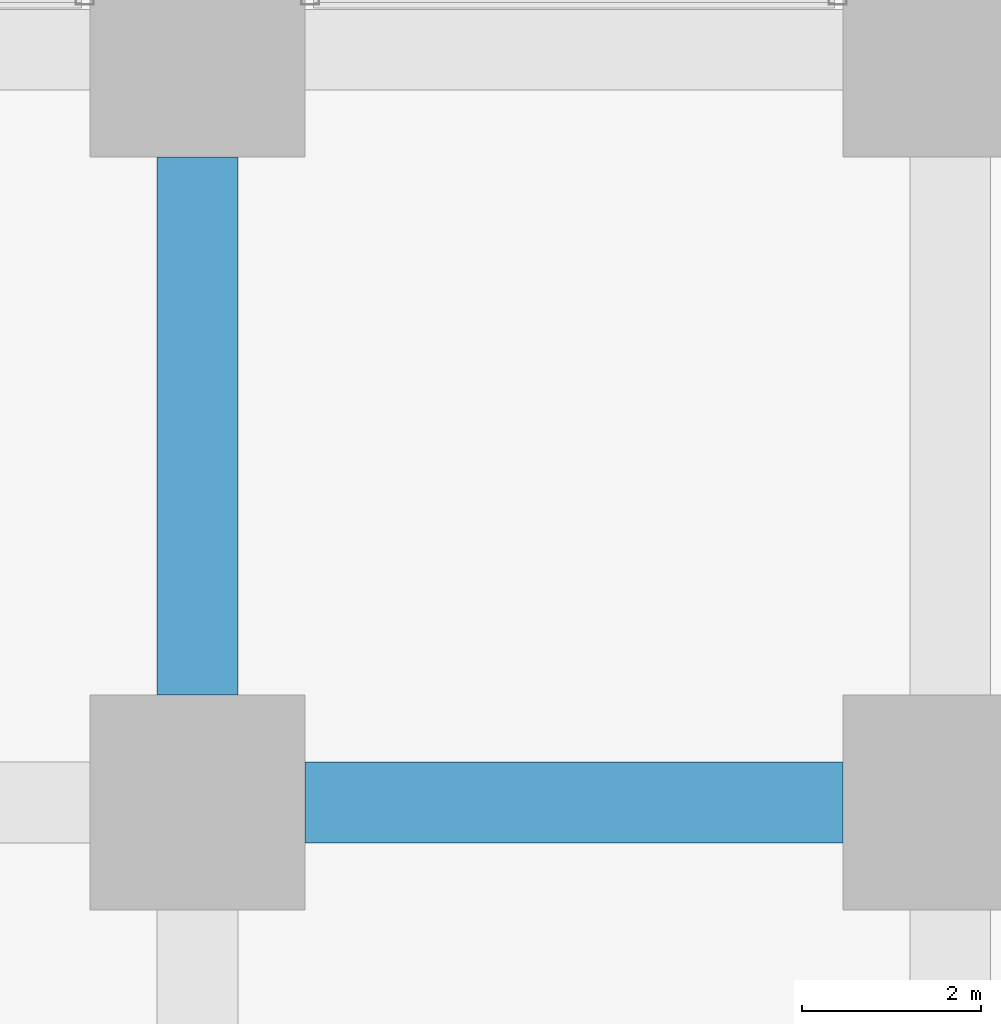
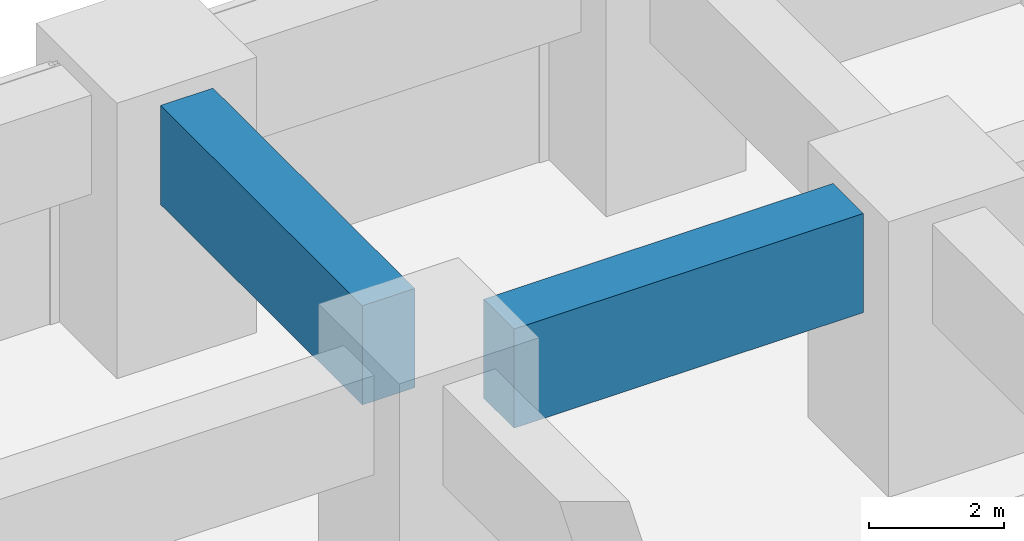
# One storey, part 22 of 48: 2 beams.
"""IFC4 building model written with IfcOpenShell, lengths in metres."""

from ifc_helpers import new_model, si_unit, direction, frame, origin, origin_2d, place, context, subcontext, project, spatial, rectangle, extrude, material, material_profile, profile_set, type_object, element, save


model = new_model("IFC4")

# Units and contexts
model_context = context("Model", 3, precision=1e-05, world=origin(), true_north=direction((0.0, 1.0)))
body_context = subcontext(model_context, "Body", "Model", "MODEL_VIEW")
ifc_project = project(units=[si_unit("LENGTHUNIT", "METRE"), si_unit("AREAUNIT", "SQUARE_METRE"), si_unit("VOLUMEUNIT", "CUBIC_METRE"), si_unit("PLANEANGLEUNIT", "RADIAN"), si_unit("MASSUNIT", "GRAM", prefix="KILO")], contexts=[model_context])

# Site, building, storey
site_placement = place(None, origin())
site = spatial("IfcSite", under=ifc_project, at=site_placement, CompositionType="ELEMENT")
building_placement = place(site_placement, origin())
building = spatial("IfcBuilding", under=site, at=building_placement, Name="Rekha Terrace Tower", CompositionType="ELEMENT")
storey_placement = place(building_placement, frame((0.0, 0.0, 15.39990234375)))
storey = spatial("IfcBuildingStorey", under=building, at=storey_placement, Name="L03", CompositionType="ELEMENT", Elevation=15.39990234375)

# Beams
ifc_material = material(Name="Concrete M60", Category="concrete")
ifc_material_profile = material_profile(ifc_material, rectangle(XDim=0.89990234375, YDim=1.800048828125, at=origin_2d()), Name="RC 900x1800")
ifc_profile_set = profile_set([ifc_material_profile], Name="Concrete M60")
beam_type = type_object("IfcBeamType", Name="G1 900x1800 podium floor beam", PredefinedType="BEAM", material=ifc_profile_set)
for number, where, z_axis, x_axis, name in (
    (1, (9.60009765625, 50.39990234375, 3.800048828125), (1.0, 0.0, 0.0), (0.0, 1.0, 0.0), "Beam G1 2G-3G under L04"),
    (2, (8.39990234375, 51.60009765625, 3.800048828125), (0.0, 1.0, 0.0), (-1.0, 0.0, 0.0), "Beam G1 2G-2H under L04"),
):
    element("IfcBeam", number, at=place(storey_placement, frame(where, z_axis=z_axis, x_axis=x_axis)), inside=storey, type_object=beam_type, Name=name, PredefinedType="BEAM", context=body_context, shape_type="SweptSolid", body=[
        extrude(rectangle(XDim=0.89990234375, YDim=1.800048828125, at=origin_2d()), origin(), (0.0, 0.0, 1.0), 6.0),
    ])

save(model, "model.ifc")
